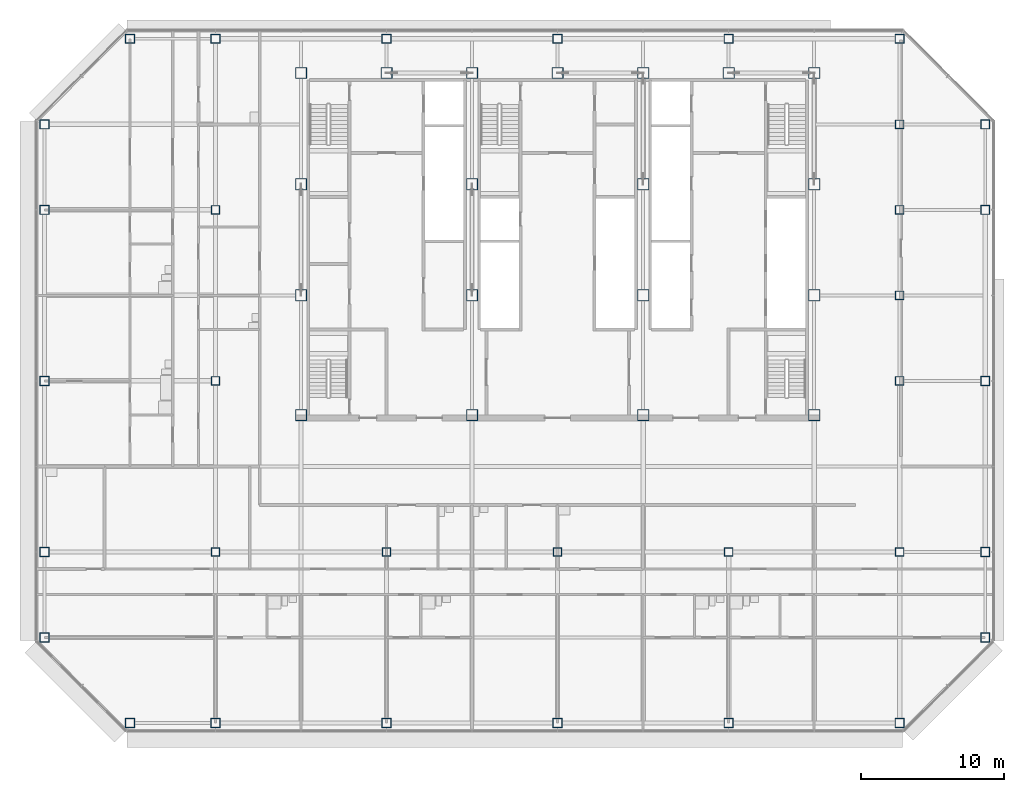
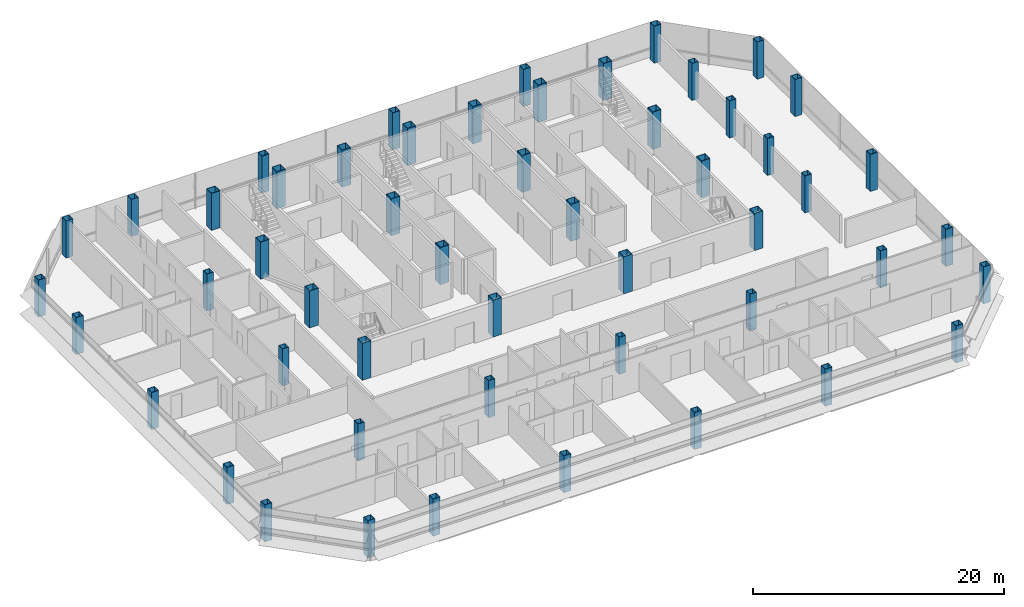
# One storey, part 1 of 27: 52 columns.
"""IFC4 building model written with IfcOpenShell, lengths in metres."""

from ifc_helpers import new_model, si_unit, direction, frame, origin, origin_2d, place, context, subcontext, project, spatial, hollow_rectangle, extrude, material, material_profile, profile_set, type_object, element, save


model = new_model("IFC4")

# Units and contexts
model_context = context("Model", 3, precision=1e-05, world=origin(), true_north=direction((0.0, 1.0)))
body_context = subcontext(model_context, "Body", "Model", "MODEL_VIEW")
ifc_project = project(units=[si_unit("LENGTHUNIT", "METRE"), si_unit("AREAUNIT", "SQUARE_METRE"), si_unit("VOLUMEUNIT", "CUBIC_METRE"), si_unit("PLANEANGLEUNIT", "RADIAN"), si_unit("MASSUNIT", "GRAM", prefix="KILO")], contexts=[model_context])

# Site, building, storey
site_placement = place(None, origin())
site = spatial("IfcSite", under=ifc_project, at=site_placement, CompositionType="ELEMENT")
building_placement = place(site_placement, origin())
building = spatial("IfcBuilding", under=site, at=building_placement, Name="Sorahane Residences", CompositionType="ELEMENT")
storey_placement = place(building_placement, frame((0.0, 0.0, 202.800048828125)))
storey = spatial("IfcBuildingStorey", under=building, at=storey_placement, Name="L47", CompositionType="ELEMENT", Elevation=202.800048828125)

# Columns
ifc_material_1 = material(Name="Steel Q355B", Category="steel")
ifc_material_profile_1 = material_profile(ifc_material_1, hollow_rectangle(XDim=0.60009765625, YDim=0.60009765625, WallThickness=0.028076171875, at=origin_2d()), Name="BOX 600x600x28")
ifc_profile_set_1 = profile_set([ifc_material_profile_1], Name="Steel Q355B")
column_type_1 = type_object("IfcColumnType", Name="Steel box column BOX 600x600x28 Q355B", PredefinedType="COLUMN", material=ifc_profile_set_1)
for number, where, z_axis, x_axis, name in (
    (1, (0.0, 12.0, 0.0), (0.0, 0.0, 1.0), (1.0, 0.0, 0.0), "Column L47 0/12"),
    (2, (0.0, 24.0, 0.0), (0.0, 0.0, 1.0), (1.0, 0.0, 0.0), "Column L47 0/24"),
    (3, (0.0, 36.0, 0.0), (0.0, 0.0, 1.0), (1.0, 0.0, 0.0), "Column L47 0/36"),
    (4, (12.0, 12.0, 0.0), (0.0, 0.0, 1.0), (1.0, 0.0, 0.0), "Column L47 12/12"),
    (5, (24.0, 12.0, 0.0), (0.0, 0.0, 1.0), (1.0, 0.0, 0.0), "Column L47 24/12"),
    (6, (36.0, 12.0, 0.0), (0.0, 0.0, 1.0), (1.0, 0.0, 0.0), "Column L47 36/12"),
    (7, (48.0, 12.0, 0.0), (0.0, 0.0, 1.0), (1.0, 0.0, 0.0), "Column L47 48/12"),
    (8, (48.0, 24.0, 0.0), (0.0, 0.0, 1.0), (1.0, 0.0, 0.0), "Column L47 48/24"),
    (9, (48.0, 30.0, 0.0), (0.0, 0.0, 1.0), (1.0, 0.0, 0.0), "Column L47 48/30"),
    (10, (48.0, 36.0, 0.0), (0.0, 0.0, 1.0), (1.0, 0.0, 0.0), "Column L47 48/36"),
    (11, (48.0, 42.0, 0.0), (0.0, 0.0, 1.0), (1.0, 0.0, 0.0), "Column L47 48/42"),
):
    element("IfcColumn", number, at=place(storey_placement, frame(where, z_axis=z_axis, x_axis=x_axis)), inside=storey, type_object=column_type_1, Name=name, PredefinedType="COLUMN", context=body_context, shape_type="SweptSolid", body=[
        extrude(hollow_rectangle(XDim=0.60009765625, YDim=0.60009765625, WallThickness=0.028076171875, at=origin_2d()), origin(), (0.0, 0.0, 1.0), 3.599853515625),
    ])
ifc_material_2 = material(Name="Steel Q355B", Category="steel")
ifc_material_profile_2 = material_profile(ifc_material_2, hollow_rectangle(XDim=0.64990234375, YDim=0.64990234375, WallThickness=0.031982421875, at=origin_2d()), Name="BOX 650x650x32")
ifc_profile_set_2 = profile_set([ifc_material_profile_2], Name="Steel Q355B")
column_type_2 = type_object("IfcColumnType", Name="Steel box column BOX 650x650x32 Q355B", PredefinedType="COLUMN", material=ifc_profile_set_2)
for number, where, z_axis, x_axis, name in (
    (12, (-12.0, 6.0, 0.0), (0.0, 0.0, 1.0), (1.0, 0.0, 0.0), "Column L47 m12/6"),
    (13, (-12.0, 12.0, 0.0), (0.0, 0.0, 1.0), (1.0, 0.0, 0.0), "Column L47 m12/12"),
    (14, (-12.0, 24.0, 0.0), (0.0, 0.0, 1.0), (1.0, 0.0, 0.0), "Column L47 m12/24"),
    (15, (-12.0, 36.0, 0.0), (0.0, 0.0, 1.0), (1.0, 0.0, 0.0), "Column L47 m12/36"),
    (16, (-12.0, 42.0, 0.0), (0.0, 0.0, 1.0), (1.0, 0.0, 0.0), "Column L47 m12/42"),
    (17, (-6.0, 0.0, 0.0), (0.0, 0.0, 1.0), (1.0, 0.0, 0.0), "Column L47 m6/0"),
    (18, (-6.0, 48.0, 0.0), (0.0, 0.0, 1.0), (1.0, 0.0, 0.0), "Column L47 m6/48"),
    (19, (0.0, 0.0, 0.0), (0.0, 0.0, 1.0), (1.0, 0.0, 0.0), "Column L47 0/0"),
    (20, (0.0, 48.0, 0.0), (0.0, 0.0, 1.0), (1.0, 0.0, 0.0), "Column L47 0/48"),
    (21, (12.0, 0.0, 0.0), (0.0, 0.0, 1.0), (1.0, 0.0, 0.0), "Column L47 12/0"),
    (22, (12.0, 48.0, 0.0), (0.0, 0.0, 1.0), (1.0, 0.0, 0.0), "Column L47 12/48"),
    (23, (24.0, 0.0, 0.0), (0.0, 0.0, 1.0), (1.0, 0.0, 0.0), "Column L47 24/0"),
    (24, (24.0, 48.0, 0.0), (0.0, 0.0, 1.0), (1.0, 0.0, 0.0), "Column L47 24/48"),
    (25, (36.0, 0.0, 0.0), (0.0, 0.0, 1.0), (1.0, 0.0, 0.0), "Column L47 36/0"),
    (26, (36.0, 48.0, 0.0), (0.0, 0.0, 1.0), (1.0, 0.0, 0.0), "Column L47 36/48"),
    (27, (48.0, 0.0, 0.0), (0.0, 0.0, 1.0), (1.0, 0.0, 0.0), "Column L47 48/0"),
    (28, (48.0, 48.0, 0.0), (0.0, 0.0, 1.0), (1.0, 0.0, 0.0), "Column L47 48/48"),
    (29, (54.0, 6.0, 0.0), (0.0, 0.0, 1.0), (1.0, 0.0, 0.0), "Column L47 54/6"),
    (30, (54.0, 12.0, 0.0), (0.0, 0.0, 1.0), (1.0, 0.0, 0.0), "Column L47 54/12"),
    (31, (54.0, 24.0, 0.0), (0.0, 0.0, 1.0), (1.0, 0.0, 0.0), "Column L47 54/24"),
    (32, (54.0, 36.0, 0.0), (0.0, 0.0, 1.0), (1.0, 0.0, 0.0), "Column L47 54/36"),
    (33, (54.0, 42.0, 0.0), (0.0, 0.0, 1.0), (1.0, 0.0, 0.0), "Column L47 54/42"),
):
    element("IfcColumn", number, at=place(storey_placement, frame(where, z_axis=z_axis, x_axis=x_axis)), inside=storey, type_object=column_type_2, Name=name, PredefinedType="COLUMN", context=body_context, shape_type="SweptSolid", body=[
        extrude(hollow_rectangle(XDim=0.64990234375, YDim=0.64990234375, WallThickness=0.031982421875, at=origin_2d()), origin(), (0.0, 0.0, 1.0), 3.599853515625),
    ])
ifc_material_3 = material(Name="Steel Q355B", Category="steel")
ifc_material_profile_3 = material_profile(ifc_material_3, hollow_rectangle(XDim=0.800048828125, YDim=0.800048828125, WallThickness=0.0400390625, at=origin_2d()), Name="BOX 800x800x40")
ifc_profile_set_3 = profile_set([ifc_material_profile_3], Name="Steel Q355B")
column_type_3 = type_object("IfcColumnType", Name="Steel box column BOX 800x800x40 Q355B", PredefinedType="COLUMN", material=ifc_profile_set_3)
for number, where, z_axis, x_axis, name in (
    (34, (6.0, 21.60009765625, 0.0), (0.0, 0.0, 1.0), (1.0, 0.0, 0.0), "Column L47 6/21.6"),
    (35, (6.0, 30.0, 0.0), (0.0, 0.0, 1.0), (1.0, 0.0, 0.0), "Column L47 6/30"),
    (36, (6.0, 37.800048828125, 0.0), (0.0, 0.0, 1.0), (1.0, 0.0, 0.0), "Column L47 6/37.8"),
    (37, (6.0, 45.60009765625, 0.0), (0.0, 0.0, 1.0), (1.0, 0.0, 0.0), "Column L47 6/45.6"),
    (38, (12.0, 45.60009765625, 0.0), (0.0, 0.0, 1.0), (1.0, 0.0, 0.0), "Column L47 12/45.6"),
    (39, (18.0, 21.60009765625, 0.0), (0.0, 0.0, 1.0), (1.0, 0.0, 0.0), "Column L47 18/21.6"),
    (40, (18.0, 30.0, 0.0), (0.0, 0.0, 1.0), (1.0, 0.0, 0.0), "Column L47 18/30"),
    (41, (18.0, 37.800048828125, 0.0), (0.0, 0.0, 1.0), (1.0, 0.0, 0.0), "Column L47 18/37.8"),
    (42, (18.0, 45.60009765625, 0.0), (0.0, 0.0, 1.0), (1.0, 0.0, 0.0), "Column L47 18/45.6"),
    (43, (24.0, 45.60009765625, 0.0), (0.0, 0.0, 1.0), (1.0, 0.0, 0.0), "Column L47 24/45.6"),
    (44, (30.0, 21.60009765625, 0.0), (0.0, 0.0, 1.0), (1.0, 0.0, 0.0), "Column L47 30/21.6"),
    (45, (30.0, 30.0, 0.0), (0.0, 0.0, 1.0), (1.0, 0.0, 0.0), "Column L47 30/30"),
    (46, (30.0, 37.800048828125, 0.0), (0.0, 0.0, 1.0), (1.0, 0.0, 0.0), "Column L47 30/37.8"),
    (47, (30.0, 45.60009765625, 0.0), (0.0, 0.0, 1.0), (1.0, 0.0, 0.0), "Column L47 30/45.6"),
    (48, (36.0, 45.60009765625, 0.0), (0.0, 0.0, 1.0), (1.0, 0.0, 0.0), "Column L47 36/45.6"),
    (49, (42.0, 21.60009765625, 0.0), (0.0, 0.0, 1.0), (1.0, 0.0, 0.0), "Column L47 42/21.6"),
    (50, (42.0, 30.0, 0.0), (0.0, 0.0, 1.0), (1.0, 0.0, 0.0), "Column L47 42/30"),
    (51, (42.0, 37.800048828125, 0.0), (0.0, 0.0, 1.0), (1.0, 0.0, 0.0), "Column L47 42/37.8"),
    (52, (42.0, 45.60009765625, 0.0), (0.0, 0.0, 1.0), (1.0, 0.0, 0.0), "Column L47 42/45.6"),
):
    element("IfcColumn", number, at=place(storey_placement, frame(where, z_axis=z_axis, x_axis=x_axis)), inside=storey, type_object=column_type_3, Name=name, PredefinedType="COLUMN", context=body_context, shape_type="SweptSolid", body=[
        extrude(hollow_rectangle(XDim=0.800048828125, YDim=0.800048828125, WallThickness=0.0400390625, at=origin_2d()), origin(), (0.0, 0.0, 1.0), 3.599853515625),
    ])

save(model, "model.ifc")
